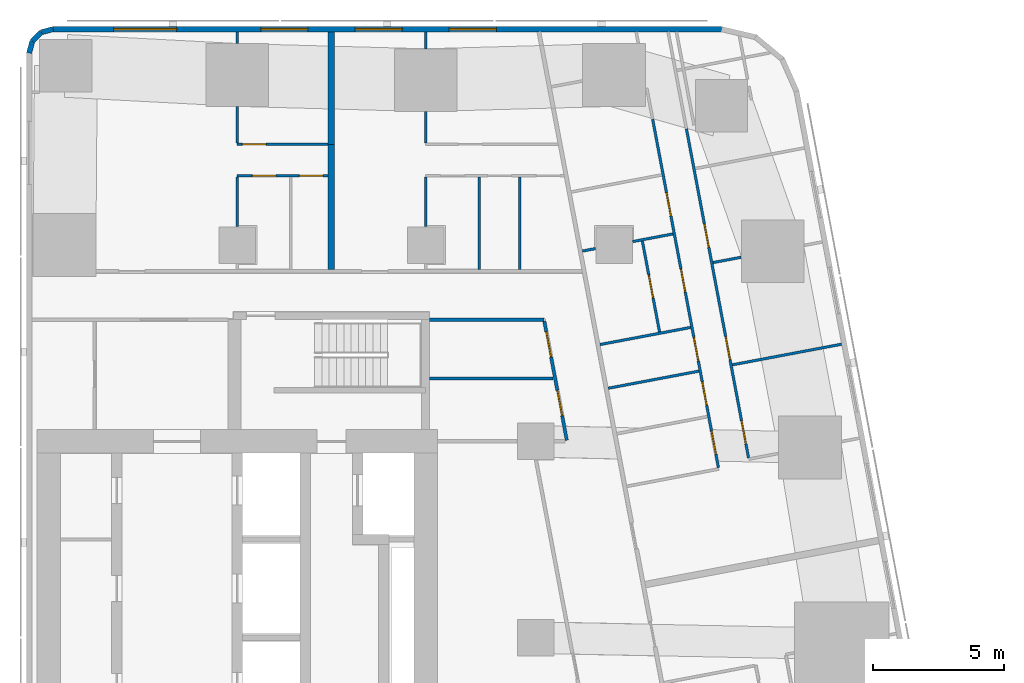
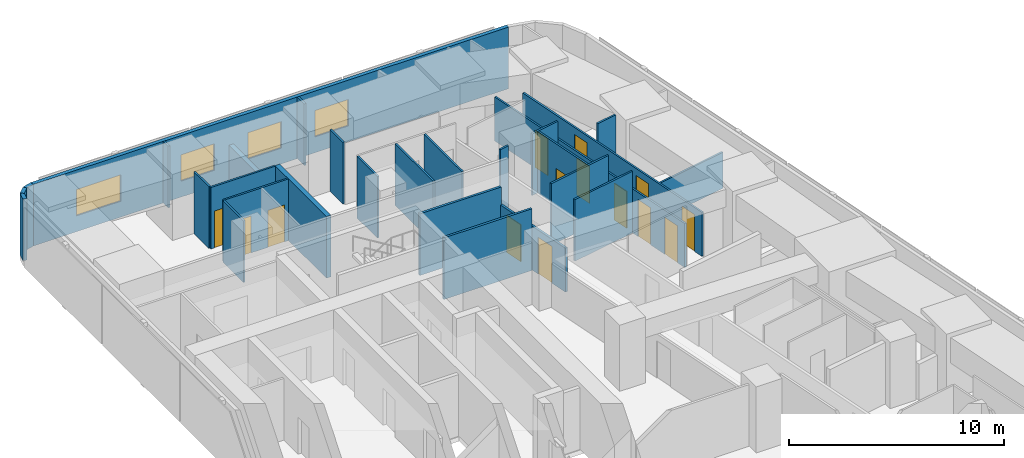
# One storey, part 7 of 10: 28 walls, 14 doors, 4 windows, 18 openings.
"""IFC4 building model written with IfcOpenShell, lengths in metres."""

from ifc_helpers import new_model, si_unit, direction, frame, frame_2d, origin, place, context, subcontext, project, spatial, rectangle, extrude, material, layer, layer_set, type_object, element, fill, save


model = new_model("IFC4")

# Units and contexts
model_context = context("Model", 3, precision=1e-05, world=origin(), true_north=direction((0.0, 1.0)))
body_context = subcontext(model_context, "Body", "Model", "MODEL_VIEW")
ifc_project = project(units=[si_unit("LENGTHUNIT", "METRE"), si_unit("AREAUNIT", "SQUARE_METRE"), si_unit("VOLUMEUNIT", "CUBIC_METRE"), si_unit("PLANEANGLEUNIT", "RADIAN"), si_unit("MASSUNIT", "GRAM", prefix="KILO")], contexts=[model_context])

# Site, building, storey
site_placement = place(None, origin())
site = spatial("IfcSite", under=ifc_project, at=site_placement, CompositionType="ELEMENT")
building_placement = place(site_placement, origin())
building = spatial("IfcBuilding", under=site, at=building_placement, Name="Sheger Commons Tower", CompositionType="ELEMENT")
storey_placement = place(building_placement, frame((0.0, 0.0, 231.199951171875)))
storey = spatial("IfcBuildingStorey", under=building, at=storey_placement, Name="L59", CompositionType="ELEMENT", Elevation=231.199951171875)

# Walls
ifc_material_1 = material(Name="Dense concrete block masonry, plastered both sides (separating wall between flats)", Category="masonry")
ifc_layer_1 = layer(ifc_material_1, 0.25)
ifc_layer_set_1 = layer_set([ifc_layer_1], Name="DEMISING WALL 250")
wall_type_1 = type_object("IfcWallType", Name="DEMISING WALL 250", PredefinedType="SOLIDWALL", material=ifc_layer_set_1)
wall_1_placement = place(storey_placement, frame((25.199951171875, 41.35009765625, 0.0), z_axis=(0.0, 0.0, 1.0), x_axis=(0.0, 1.0, 0.0)))
element("IfcWall", 1, at=wall_1_placement, inside=storey, type_object=wall_type_1, Name="Demising wall L59", PredefinedType="SOLIDWALL", context=body_context, shape_type="SweptSolid", body=[
    extrude(rectangle(XDim=4.2998046875, YDim=0.25, at=frame_2d((2.14990234375, 0.0))), origin(), (0.0, 0.0, 1.0), 2.050048828125),
])
wall_2_placement = place(storey_placement, frame((25.199951171875, 36.574951171875, 0.0), z_axis=(0.0, 0.0, 1.0), x_axis=(0.0, 1.0, 0.0)))
element("IfcWall", 2, at=wall_2_placement, inside=storey, type_object=wall_type_1, Name="Demising wall L59", PredefinedType="SOLIDWALL", context=body_context, shape_type="SweptSolid", body=[
    extrude(rectangle(XDim=4.775146484375, YDim=0.25, at=frame_2d((2.3876953125, 0.0))), origin(), (0.0, 0.0, 1.0), 3.5),
])

# Wall, openings, windows
ifc_material_2 = material(Name="Rendered concrete block masonry, dark grey", Category="masonry")
ifc_layer_2 = layer(ifc_material_2, 0.199951171875)
ifc_layer_set_2 = layer_set([ifc_layer_2], Name="FACADE WALL 200")
wall_type_2 = type_object("IfcWallType", Name="FACADE WALL 200", PredefinedType="SOLIDWALL", material=ifc_layer_set_2)
wall_3_placement = place(storey_placement, frame((40.10595703125, 45.75, 0.0), z_axis=(0.0, 0.0, 1.0), x_axis=(-1.0, 0.0, 0.0)))
wall_3 = element("IfcWall", 3, at=wall_3_placement, inside=storey, type_object=wall_type_2, Name="Facade wall L59", PredefinedType="SOLIDWALL", context=body_context, shape_type="SweptSolid", body=[
    extrude(rectangle(XDim=25.54296875, YDim=0.199951171875, at=frame_2d((12.771484375, 0.0))), origin(), (0.0, 0.0, 1.0), 3.5),
])
opening_1_placement = place(wall_3_placement, frame((8.60595703125, 0.0, 0.89990234375)))
opening_1 = element("IfcOpeningElement", 4, at=opening_1_placement, cuts=wall_3, Name="Opening W2", PredefinedType="OPENING", context=body_context, shape_type="SweptSolid", body=[
    extrude(rectangle(XDim=1.800048828125, YDim=1.5, at=frame_2d((0.89990234375, 0.75))), frame((0.0, 0.10986328125, 0.0), z_axis=(0.0, -1.0, 0.0), x_axis=(1.0, 0.0, 0.0)), (0.0, 0.0, 1.0), 0.219970703125),
])
opening_2_placement = place(wall_3_placement, frame((12.2060546875, 0.0, 0.89990234375)))
opening_2 = element("IfcOpeningElement", 5, at=opening_2_placement, cuts=wall_3, Name="Opening W2", PredefinedType="OPENING", context=body_context, shape_type="SweptSolid", body=[
    extrude(rectangle(XDim=1.800048828125, YDim=1.5, at=frame_2d((0.89990234375, 0.75))), frame((0.0, 0.10986328125, 0.0), z_axis=(0.0, -1.0, 0.0), x_axis=(1.0, 0.0, 0.0)), (0.0, 0.0, 1.0), 0.219970703125),
])
opening_3_placement = place(wall_3_placement, frame((15.805908203125, 0.0, 0.89990234375)))
opening_3 = element("IfcOpeningElement", 6, at=opening_3_placement, cuts=wall_3, Name="Opening W2", PredefinedType="OPENING", context=body_context, shape_type="SweptSolid", body=[
    extrude(rectangle(XDim=1.800048828125, YDim=1.5, at=frame_2d((0.89990234375, 0.75))), frame((0.0, 0.10986328125, 0.0), z_axis=(0.0, -1.0, 0.0), x_axis=(1.0, 0.0, 0.0)), (0.0, 0.0, 1.0), 0.219970703125),
])
opening_4_placement = place(wall_3_placement, frame((20.824951171875, 0.0, 0.89990234375)))
opening_4 = element("IfcOpeningElement", 7, at=opening_4_placement, cuts=wall_3, Name="Opening W1", PredefinedType="OPENING", context=body_context, shape_type="SweptSolid", body=[
    extrude(rectangle(XDim=2.39990234375, YDim=1.5, at=frame_2d((1.199951171875, 0.75))), frame((0.0, 0.10986328125, 0.0), z_axis=(0.0, -1.0, 0.0), x_axis=(1.0, 0.0, 0.0)), (0.0, 0.0, 1.0), 0.219970703125),
])
ifc_material_3 = material(Name="Black aluminium frame, dark tinted double glazing", Category="aluminium")
window_type_1 = type_object("IfcWindowType", Name="WINDOW W1 2400x1500", PartitioningType="SINGLE_PANEL", PredefinedType="WINDOW", material=ifc_material_3)
window_1_placement = place(opening_4_placement, origin())
window_1 = element("IfcWindow", 8, at=window_1_placement, inside=storey, type_object=window_type_1, Name="Window W1 2400X1500", OverallHeight=1.5, OverallWidth=2.39990234375, PartitioningType="SINGLE_PANEL", PredefinedType="WINDOW", context=body_context, shape_type="SweptSolid", body=[
    extrude(rectangle(XDim=2.39990234375, YDim=1.5, at=frame_2d((1.199951171875, 0.75))), frame((0.0, 0.030029296875, 0.0), z_axis=(0.0, -1.0, 0.0), x_axis=(1.0, 0.0, 0.0)), (0.0, 0.0, 1.0), 0.06005859375),
])
fill(opening_4, window_1)
ifc_material_4 = material(Name="Black aluminium frame, dark tinted double glazing", Category="aluminium")
window_type_2 = type_object("IfcWindowType", Name="WINDOW W2 1800x1500", PartitioningType="SINGLE_PANEL", PredefinedType="WINDOW", material=ifc_material_4)
window_2_placement = place(opening_1_placement, origin())
window_2 = element("IfcWindow", 9, at=window_2_placement, inside=storey, type_object=window_type_2, Name="Window W2 1800X1500", OverallHeight=1.5, OverallWidth=1.800048828125, PartitioningType="SINGLE_PANEL", PredefinedType="WINDOW", context=body_context, shape_type="SweptSolid", body=[
    extrude(rectangle(XDim=1.800048828125, YDim=1.5, at=frame_2d((0.89990234375, 0.75))), frame((0.0, 0.030029296875, 0.0), z_axis=(0.0, -1.0, 0.0), x_axis=(1.0, 0.0, 0.0)), (0.0, 0.0, 1.0), 0.06005859375),
])
fill(opening_1, window_2)
window_3_placement = place(opening_2_placement, origin())
window_3 = element("IfcWindow", 10, at=window_3_placement, inside=storey, type_object=window_type_2, Name="Window W2 1800X1500", OverallHeight=1.5, OverallWidth=1.800048828125, PartitioningType="SINGLE_PANEL", PredefinedType="WINDOW", context=body_context, shape_type="SweptSolid", body=[
    extrude(rectangle(XDim=1.800048828125, YDim=1.5, at=frame_2d((0.89990234375, 0.75))), frame((0.0, 0.030029296875, 0.0), z_axis=(0.0, -1.0, 0.0), x_axis=(1.0, 0.0, 0.0)), (0.0, 0.0, 1.0), 0.06005859375),
])
fill(opening_2, window_3)
window_4_placement = place(opening_3_placement, origin())
window_4 = element("IfcWindow", 11, at=window_4_placement, inside=storey, type_object=window_type_2, Name="Window W2 1800X1500", OverallHeight=1.5, OverallWidth=1.800048828125, PartitioningType="SINGLE_PANEL", PredefinedType="WINDOW", context=body_context, shape_type="SweptSolid", body=[
    extrude(rectangle(XDim=1.800048828125, YDim=1.5, at=frame_2d((0.89990234375, 0.75))), frame((0.0, 0.030029296875, 0.0), z_axis=(0.0, -1.0, 0.0), x_axis=(1.0, 0.0, 0.0)), (0.0, 0.0, 1.0), 0.06005859375),
])
fill(opening_3, window_4)

# Walls
wall_4_placement = place(storey_placement, frame((14.56298828125, 45.75, 0.0), z_axis=(0.0, 0.0, 1.0), x_axis=(-0.965655254015, -0.259826731483, 0.0)))
element("IfcWall", 12, at=wall_4_placement, inside=storey, type_object=wall_type_2, Name="Facade wall L59", PredefinedType="SOLIDWALL", context=body_context, shape_type="SweptSolid", body=[
    extrude(rectangle(XDim=0.477294921875, YDim=0.199951171875, at=frame_2d((0.23876953125, 0.0))), origin(), (0.0, 0.0, 1.0), 3.5),
])
wall_5_placement = place(storey_placement, frame((14.10205078125, 45.6259765625, 0.0), z_axis=(0.0, 0.0, 1.0), x_axis=(-0.707369890659, -0.706843573776, 0.0)))
element("IfcWall", 13, at=wall_5_placement, inside=storey, type_object=wall_type_2, Name="Facade wall L59", PredefinedType="SOLIDWALL", context=body_context, shape_type="SweptSolid", body=[
    extrude(rectangle(XDim=0.4638671875, YDim=0.199951171875, at=frame_2d((0.23193359375, 0.0))), origin(), (0.0, 0.0, 1.0), 3.5),
])
wall_6_placement = place(storey_placement, frame((13.77392578125, 45.298095703125, 0.0), z_axis=(0.0, 0.0, 1.0), x_axis=(-0.259698463175, -0.965689757751, 0.0)))
element("IfcWall", 14, at=wall_6_placement, inside=storey, type_object=wall_type_2, Name="Facade wall L59", PredefinedType="SOLIDWALL", context=body_context, shape_type="SweptSolid", body=[
    extrude(rectangle(XDim=0.4775390625, YDim=0.199951171875, at=frame_2d((0.23876953125, 0.0))), origin(), (0.0, 0.0, 1.0), 3.5),
])

# Wall, openings, doors
ifc_material_5 = material(Name="Gypsum board on steel studs", Category="steel")
ifc_layer_3 = layer(ifc_material_5, 0.10009765625)
ifc_layer_set_3 = layer_set([ifc_layer_3], Name="PARTITION 100")
wall_type_3 = type_object("IfcWallType", Name="PARTITION 100", PredefinedType="PARTITIONING", material=ifc_layer_set_3)
wall_7_placement = place(storey_placement, frame((38.763916015625, 41.94091796875, 0.0), z_axis=(0.0, 0.0, 1.0), x_axis=(0.185512176227, -0.982641965556, 0.0)))
wall_7 = element("IfcWall", 15, at=wall_7_placement, inside=storey, type_object=wall_type_3, Name="Partition L59", PredefinedType="PARTITIONING", context=body_context, shape_type="SweptSolid", body=[
    extrude(rectangle(XDim=12.791748046875, YDim=0.10009765625, at=frame_2d((6.39599609375, 0.0))), origin(), (0.0, 0.0, 1.0), 2.5),
])
opening_5_placement = place(wall_7_placement, frame((11.35009765625, 0.0, 0.0)))
opening_5 = element("IfcOpeningElement", 16, at=opening_5_placement, cuts=wall_7, Name="Opening D2", PredefinedType="OPENING", context=body_context, shape_type="SweptSolid", body=[
    extrude(rectangle(XDim=0.89990234375, YDim=2.10009765625, at=frame_2d((0.449951171875, 1.050048828125))), frame((0.0, 0.06005859375, 0.0), z_axis=(0.0, -1.0, 0.0), x_axis=(1.0, 0.0, 0.0)), (0.0, 0.0, 1.0), 0.1201171875),
])
opening_6_placement = place(wall_7_placement, frame((8.0849609375, 0.0, 0.0)))
opening_6 = element("IfcOpeningElement", 17, at=opening_6_placement, cuts=wall_7, Name="Opening D2", PredefinedType="OPENING", context=body_context, shape_type="SweptSolid", body=[
    extrude(rectangle(XDim=0.89990234375, YDim=2.10009765625, at=frame_2d((0.449951171875, 1.050048828125))), frame((0.0, 0.06005859375, 0.0), z_axis=(0.0, -1.0, 0.0), x_axis=(1.0, 0.0, 0.0)), (0.0, 0.0, 1.0), 0.1201171875),
])
opening_7_placement = place(wall_7_placement, frame((3.699951171875, 0.0, 0.0)))
opening_7 = element("IfcOpeningElement", 18, at=opening_7_placement, cuts=wall_7, Name="Opening D2", PredefinedType="OPENING", context=body_context, shape_type="SweptSolid", body=[
    extrude(rectangle(XDim=0.89990234375, YDim=2.10009765625, at=frame_2d((0.449951171875, 1.050048828125))), frame((0.0, 0.06005859375, 0.0), z_axis=(0.0, -1.0, 0.0), x_axis=(1.0, 0.0, 0.0)), (0.0, 0.0, 1.0), 0.1201171875),
])
ifc_material_6 = material(Name="Timber door set", Category="wood")
door_type_1 = type_object("IfcDoorType", Name="INTERNAL DOOR 900x2100", OperationType="NOTDEFINED", PredefinedType="DOOR", material=ifc_material_6)
door_1_placement = place(opening_5_placement, origin())
door_1 = element("IfcDoor", 19, at=door_1_placement, inside=storey, type_object=door_type_1, Name="Main bedroom door", OperationType="SINGLE_SWING_RIGHT", OverallHeight=2.10009765625, OverallWidth=0.89990234375, PredefinedType="DOOR", context=body_context, shape_type="SweptSolid", body=[
    extrude(rectangle(XDim=0.89990234375, YDim=2.10009765625, at=frame_2d((0.449951171875, 1.050048828125))), frame((0.0, 0.02490234375, 0.0), z_axis=(0.0, -1.0, 0.0), x_axis=(1.0, 0.0, 0.0)), (0.0, 0.0, 1.0), 0.050048828125),
])
fill(opening_5, door_1)
door_2_placement = place(opening_6_placement, origin())
door_2 = element("IfcDoor", 20, at=door_2_placement, inside=storey, type_object=door_type_1, Name="Bedroom 2 door", OperationType="SINGLE_SWING_RIGHT", OverallHeight=2.10009765625, OverallWidth=0.89990234375, PredefinedType="DOOR", context=body_context, shape_type="SweptSolid", body=[
    extrude(rectangle(XDim=0.89990234375, YDim=2.10009765625, at=frame_2d((0.449951171875, 1.050048828125))), frame((0.0, 0.02490234375, 0.0), z_axis=(0.0, -1.0, 0.0), x_axis=(1.0, 0.0, 0.0)), (0.0, 0.0, 1.0), 0.050048828125),
])
fill(opening_6, door_2)
door_3_placement = place(opening_7_placement, origin())
door_3 = element("IfcDoor", 21, at=door_3_placement, inside=storey, type_object=door_type_1, Name="Bedroom 3 door", OperationType="SINGLE_SWING_RIGHT", OverallHeight=2.10009765625, OverallWidth=0.89990234375, PredefinedType="DOOR", context=body_context, shape_type="SweptSolid", body=[
    extrude(rectangle(XDim=0.89990234375, YDim=2.10009765625, at=frame_2d((0.449951171875, 1.050048828125))), frame((0.0, 0.02490234375, 0.0), z_axis=(0.0, -1.0, 0.0), x_axis=(1.0, 0.0, 0.0)), (0.0, 0.0, 1.0), 0.050048828125),
])
fill(opening_7, door_3)

wall_8_placement = place(storey_placement, frame((37.472900390625, 42.30908203125, 0.0), z_axis=(0.0, 0.0, 1.0), x_axis=(0.185570636839, -0.982630927024, 0.0)))
wall_8 = element("IfcWall", 22, at=wall_8_placement, inside=storey, type_object=wall_type_3, Name="Partition L59", PredefinedType="PARTITIONING", context=body_context, shape_type="SweptSolid", body=[
    extrude(rectangle(XDim=13.553466796875, YDim=0.10009765625, at=frame_2d((6.77685546875, 0.0))), origin(), (0.0, 0.0, 1.0), 2.5),
])
opening_8_placement = place(wall_8_placement, frame((12.1279296875, 0.0, 0.0)))
opening_8 = element("IfcOpeningElement", 23, at=opening_8_placement, cuts=wall_8, Name="Opening D2", PredefinedType="OPENING", context=body_context, shape_type="SweptSolid", body=[
    extrude(rectangle(XDim=0.89990234375, YDim=2.10009765625, at=frame_2d((0.449951171875, 1.050048828125))), frame((0.0, 0.06005859375, 0.0), z_axis=(0.0, -1.0, 0.0), x_axis=(1.0, 0.0, 0.0)), (0.0, 0.0, 1.0), 0.1201171875),
])
opening_9_placement = place(wall_8_placement, frame((8.487060546875, 0.0, 0.0)))
opening_9 = element("IfcOpeningElement", 24, at=opening_9_placement, cuts=wall_8, Name="Opening D2", PredefinedType="OPENING", context=body_context, shape_type="SweptSolid", body=[
    extrude(rectangle(XDim=0.89990234375, YDim=2.10009765625, at=frame_2d((0.449951171875, 1.050048828125))), frame((0.0, 0.06005859375, 0.0), z_axis=(0.0, -1.0, 0.0), x_axis=(1.0, 0.0, 0.0)), (0.0, 0.0, 1.0), 0.1201171875),
])
opening_10_placement = place(wall_8_placement, frame((2.85302734375, 0.0, 0.0)))
opening_10 = element("IfcOpeningElement", 25, at=opening_10_placement, cuts=wall_8, Name="Opening D2", PredefinedType="OPENING", context=body_context, shape_type="SweptSolid", body=[
    extrude(rectangle(XDim=0.89990234375, YDim=2.10009765625, at=frame_2d((0.449951171875, 1.050048828125))), frame((0.0, 0.06005859375, 0.0), z_axis=(0.0, -1.0, 0.0), x_axis=(1.0, 0.0, 0.0)), (0.0, 0.0, 1.0), 0.1201171875),
])
opening_11_placement = place(wall_8_placement, frame((10.219970703125, 0.0, 0.0)))
opening_11 = element("IfcOpeningElement", 26, at=opening_11_placement, cuts=wall_8, Name="Opening D2", PredefinedType="OPENING", context=body_context, shape_type="SweptSolid", body=[
    extrude(rectangle(XDim=0.89990234375, YDim=2.10009765625, at=frame_2d((0.449951171875, 1.050048828125))), frame((0.0, 0.06005859375, 0.0), z_axis=(0.0, -1.0, 0.0), x_axis=(1.0, 0.0, 0.0)), (0.0, 0.0, 1.0), 0.1201171875),
])
opening_12_placement = place(wall_8_placement, frame((5.819091796875, 0.0, 0.0)))
opening_12 = element("IfcOpeningElement", 27, at=opening_12_placement, cuts=wall_8, Name="Opening D2", PredefinedType="OPENING", context=body_context, shape_type="SweptSolid", body=[
    extrude(rectangle(XDim=0.89990234375, YDim=2.10009765625, at=frame_2d((0.449951171875, 1.050048828125))), frame((0.0, 0.06005859375, 0.0), z_axis=(0.0, -1.0, 0.0), x_axis=(1.0, 0.0, 0.0)), (0.0, 0.0, 1.0), 0.1201171875),
])
door_4_placement = place(opening_8_placement, origin())
door_4 = element("IfcDoor", 28, at=door_4_placement, inside=storey, type_object=door_type_1, Name="Bathroom door", OperationType="SINGLE_SWING_LEFT", OverallHeight=2.10009765625, OverallWidth=0.89990234375, PredefinedType="DOOR", context=body_context, shape_type="SweptSolid", body=[
    extrude(rectangle(XDim=0.89990234375, YDim=2.10009765625, at=frame_2d((0.449951171875, 1.050048828125))), frame((0.0, 0.02490234375, 0.0), z_axis=(0.0, -1.0, 0.0), x_axis=(1.0, 0.0, 0.0)), (0.0, 0.0, 1.0), 0.050048828125),
])
fill(opening_8, door_4)
door_5_placement = place(opening_9_placement, origin())
door_5 = element("IfcDoor", 29, at=door_5_placement, inside=storey, type_object=door_type_1, Name="Laundry room door", OperationType="SINGLE_SWING_RIGHT", OverallHeight=2.10009765625, OverallWidth=0.89990234375, PredefinedType="DOOR", context=body_context, shape_type="SweptSolid", body=[
    extrude(rectangle(XDim=0.89990234375, YDim=2.10009765625, at=frame_2d((0.449951171875, 1.050048828125))), frame((0.0, 0.02490234375, 0.0), z_axis=(0.0, -1.0, 0.0), x_axis=(1.0, 0.0, 0.0)), (0.0, 0.0, 1.0), 0.050048828125),
])
fill(opening_9, door_5)
door_6_placement = place(opening_10_placement, origin())
door_6 = element("IfcDoor", 30, at=door_6_placement, inside=storey, type_object=door_type_1, Name="Laundry room door", OperationType="SINGLE_SWING_RIGHT", OverallHeight=2.10009765625, OverallWidth=0.89990234375, PredefinedType="DOOR", context=body_context, shape_type="SweptSolid", body=[
    extrude(rectangle(XDim=0.89990234375, YDim=2.10009765625, at=frame_2d((0.449951171875, 1.050048828125))), frame((0.0, 0.02490234375, 0.0), z_axis=(0.0, -1.0, 0.0), x_axis=(1.0, 0.0, 0.0)), (0.0, 0.0, 1.0), 0.050048828125),
])
fill(opening_10, door_6)
door_7_placement = place(opening_11_placement, origin())
door_7 = element("IfcDoor", 31, at=door_7_placement, inside=storey, type_object=door_type_1, Name="Store door", OperationType="SINGLE_SWING_LEFT", OverallHeight=2.10009765625, OverallWidth=0.89990234375, PredefinedType="DOOR", context=body_context, shape_type="SweptSolid", body=[
    extrude(rectangle(XDim=0.89990234375, YDim=2.10009765625, at=frame_2d((0.449951171875, 1.050048828125))), frame((0.0, 0.02490234375, 0.0), z_axis=(0.0, -1.0, 0.0), x_axis=(1.0, 0.0, 0.0)), (0.0, 0.0, 1.0), 0.050048828125),
])
fill(opening_11, door_7)
door_8_placement = place(opening_12_placement, origin())
door_8 = element("IfcDoor", 32, at=door_8_placement, inside=storey, type_object=door_type_1, Name="Store door", OperationType="SINGLE_SWING_LEFT", OverallHeight=2.10009765625, OverallWidth=0.89990234375, PredefinedType="DOOR", context=body_context, shape_type="SweptSolid", body=[
    extrude(rectangle(XDim=0.89990234375, YDim=2.10009765625, at=frame_2d((0.449951171875, 1.050048828125))), frame((0.0, 0.02490234375, 0.0), z_axis=(0.0, -1.0, 0.0), x_axis=(1.0, 0.0, 0.0)), (0.0, 0.0, 1.0), 0.050048828125),
])
fill(opening_12, door_8)

# Walls
wall_9_placement = place(storey_placement, frame((40.85400390625, 37.033935546875, 0.0), z_axis=(0.0, 0.0, 1.0), x_axis=(-0.982651678759, -0.185460718839, 0.0)))
element("IfcWall", 33, at=wall_9_placement, inside=storey, type_object=wall_type_3, Name="Partition L59", PredefinedType="PARTITIONING", context=body_context, shape_type="SweptSolid", body=[
    extrude(rectangle(XDim=1.093994140625, YDim=0.10009765625, at=frame_2d((0.546875, 0.0))), origin(), (0.0, 0.0, 1.0), 3.5),
])
wall_10_placement = place(storey_placement, frame((44.693115234375, 33.712890625, 0.0), z_axis=(0.0, 0.0, 1.0), x_axis=(-0.982623519589, -0.185609856287, 0.0)))
element("IfcWall", 34, at=wall_10_placement, inside=storey, type_object=wall_type_3, Name="Partition L59", PredefinedType="PARTITIONING", context=body_context, shape_type="SweptSolid", body=[
    extrude(rectangle(XDim=4.249755859375, YDim=0.10009765625, at=frame_2d((2.125, 0.0))), origin(), (0.0, 0.0, 1.0), 2.050048828125),
])
wall_11_placement = place(storey_placement, frame((38.25, 37.925048828125, 0.0), z_axis=(0.0, 0.0, 1.0), x_axis=(-0.982610209589, -0.185680305934, 0.0)))
element("IfcWall", 35, at=wall_11_placement, inside=storey, type_object=wall_type_3, Name="Partition L59", PredefinedType="PARTITIONING", context=body_context, shape_type="SweptSolid", body=[
    extrude(rectangle(XDim=1.5673828125, YDim=0.10009765625, at=frame_2d((0.78369140625, 0.0))), origin(), (0.0, 0.0, 1.0), 3.5),
])
wall_12_placement = place(storey_placement, frame((35.2900390625, 37.365966796875, 0.0), z_axis=(0.0, 0.0, 1.0), x_axis=(-0.982715597703, -0.185121727606, 0.0)))
element("IfcWall", 36, at=wall_12_placement, inside=storey, type_object=wall_type_3, Name="Partition L59", PredefinedType="PARTITIONING", context=body_context, shape_type="SweptSolid", body=[
    extrude(rectangle(XDim=0.512939453125, YDim=0.10009765625, at=frame_2d((0.25634765625, 0.0))), origin(), (0.0, 0.0, 1.0), 3.5),
])
wall_13_placement = place(storey_placement, frame((39.239990234375, 32.68310546875, 0.0), z_axis=(0.0, 0.0, 1.0), x_axis=(-0.982638553676, -0.185530247748, 0.0)))
element("IfcWall", 37, at=wall_13_placement, inside=storey, type_object=wall_type_3, Name="Partition L59", PredefinedType="PARTITIONING", context=body_context, shape_type="SweptSolid", body=[
    extrude(rectangle(XDim=3.525390625, YDim=0.10009765625, at=frame_2d((1.7626953125, 0.0))), origin(), (0.0, 0.0, 1.0), 3.5),
])
wall_14_placement = place(storey_placement, frame((38.924072265625, 34.35302734375, 0.0), z_axis=(0.0, 0.0, 1.0), x_axis=(-0.982629014545, -0.18558076348, 0.0)))
element("IfcWall", 38, at=wall_14_placement, inside=storey, type_object=wall_type_3, Name="Partition L59", PredefinedType="PARTITIONING", context=body_context, shape_type="SweptSolid", body=[
    extrude(rectangle(XDim=3.5244140625, YDim=0.10009765625, at=frame_2d((1.76220703125, 0.0))), origin(), (0.0, 0.0, 1.0), 3.5),
])

# Wall, opening, door
wall_15_placement = place(storey_placement, frame((21.60009765625, 41.35009765625, 0.0), z_axis=(0.0, 0.0, 1.0), x_axis=(1.0, 0.0, 0.0)))
wall_15 = element("IfcWall", 39, at=wall_15_placement, inside=storey, type_object=wall_type_3, Name="Partition L59", PredefinedType="PARTITIONING", context=body_context, shape_type="SweptSolid", body=[
    extrude(rectangle(XDim=3.474853515625, YDim=0.10009765625, at=frame_2d((1.7373046875, 0.0))), origin(), (0.0, 0.0, 1.0), 3.5),
])
opening_13_placement = place(wall_15_placement, frame((0.199951171875, 0.0, 0.0)))
opening_13 = element("IfcOpeningElement", 40, at=opening_13_placement, cuts=wall_15, Name="Opening D2", PredefinedType="OPENING", context=body_context, shape_type="SweptSolid", body=[
    extrude(rectangle(XDim=0.89990234375, YDim=2.10009765625, at=frame_2d((0.449951171875, 1.050048828125))), frame((0.0, 0.06005859375, 0.0), z_axis=(0.0, -1.0, 0.0), x_axis=(1.0, 0.0, 0.0)), (0.0, 0.0, 1.0), 0.1201171875),
])
door_9_placement = place(opening_13_placement, origin())
door_9 = element("IfcDoor", 41, at=door_9_placement, inside=storey, type_object=door_type_1, Name="Main bedroom door", OperationType="SINGLE_SWING_LEFT", OverallHeight=2.10009765625, OverallWidth=0.89990234375, PredefinedType="DOOR", context=body_context, shape_type="SweptSolid", body=[
    extrude(rectangle(XDim=0.89990234375, YDim=2.10009765625, at=frame_2d((0.449951171875, 1.050048828125))), frame((0.0, 0.02490234375, 0.0), z_axis=(0.0, -1.0, 0.0), x_axis=(1.0, 0.0, 0.0)), (0.0, 0.0, 1.0), 0.050048828125),
])
fill(opening_13, door_9)

# Wall, openings, doors
wall_16_placement = place(storey_placement, frame((21.60009765625, 40.14990234375, 0.0), z_axis=(0.0, 0.0, 1.0), x_axis=(1.0, 0.0, 0.0)))
wall_16 = element("IfcWall", 42, at=wall_16_placement, inside=storey, type_object=wall_type_3, Name="Partition L59", PredefinedType="PARTITIONING", context=body_context, shape_type="SweptSolid", body=[
    extrude(rectangle(XDim=3.474853515625, YDim=0.10009765625, at=frame_2d((1.7373046875, 0.0))), origin(), (0.0, 0.0, 1.0), 3.5),
])
opening_14_placement = place(wall_16_placement, frame((0.574951171875, 0.0, 0.0)))
opening_14 = element("IfcOpeningElement", 43, at=opening_14_placement, cuts=wall_16, Name="Opening D2", PredefinedType="OPENING", context=body_context, shape_type="SweptSolid", body=[
    extrude(rectangle(XDim=0.89990234375, YDim=2.10009765625, at=frame_2d((0.449951171875, 1.050048828125))), frame((0.0, 0.06005859375, 0.0), z_axis=(0.0, -1.0, 0.0), x_axis=(1.0, 0.0, 0.0)), (0.0, 0.0, 1.0), 0.1201171875),
])
opening_15_placement = place(wall_16_placement, frame((2.375, 0.0, 0.0)))
opening_15 = element("IfcOpeningElement", 44, at=opening_15_placement, cuts=wall_16, Name="Opening D2", PredefinedType="OPENING", context=body_context, shape_type="SweptSolid", body=[
    extrude(rectangle(XDim=0.89990234375, YDim=2.10009765625, at=frame_2d((0.449951171875, 1.050048828125))), frame((0.0, 0.06005859375, 0.0), z_axis=(0.0, -1.0, 0.0), x_axis=(1.0, 0.0, 0.0)), (0.0, 0.0, 1.0), 0.1201171875),
])
door_10_placement = place(opening_14_placement, origin())
door_10 = element("IfcDoor", 45, at=door_10_placement, inside=storey, type_object=door_type_1, Name="Bathroom door", OperationType="SINGLE_SWING_RIGHT", OverallHeight=2.10009765625, OverallWidth=0.89990234375, PredefinedType="DOOR", context=body_context, shape_type="SweptSolid", body=[
    extrude(rectangle(XDim=0.89990234375, YDim=2.10009765625, at=frame_2d((0.449951171875, 1.050048828125))), frame((0.0, 0.02490234375, 0.0), z_axis=(0.0, -1.0, 0.0), x_axis=(1.0, 0.0, 0.0)), (0.0, 0.0, 1.0), 0.050048828125),
])
fill(opening_14, door_10)
door_11_placement = place(opening_15_placement, origin())
door_11 = element("IfcDoor", 46, at=door_11_placement, inside=storey, type_object=door_type_1, Name="Store door", OperationType="SINGLE_SWING_LEFT", OverallHeight=2.10009765625, OverallWidth=0.89990234375, PredefinedType="DOOR", context=body_context, shape_type="SweptSolid", body=[
    extrude(rectangle(XDim=0.89990234375, YDim=2.10009765625, at=frame_2d((0.449951171875, 1.050048828125))), frame((0.0, 0.02490234375, 0.0), z_axis=(0.0, -1.0, 0.0), x_axis=(1.0, 0.0, 0.0)), (0.0, 0.0, 1.0), 0.050048828125),
])
fill(opening_15, door_11)

# Walls
wall_17_placement = place(storey_placement, frame((21.60009765625, 41.39990234375, 0.0), z_axis=(0.0, 0.0, 1.0), x_axis=(0.0, 1.0, 0.0)))
element("IfcWall", 47, at=wall_17_placement, inside=storey, type_object=wall_type_3, Name="Partition L59", PredefinedType="PARTITIONING", context=body_context, shape_type="SweptSolid", body=[
    extrude(rectangle(XDim=1.399169921875, YDim=0.10009765625, at=frame_2d((0.69970703125, 0.0))), origin(), (0.0, 0.0, 1.0), 3.5),
])
wall_18_placement = place(storey_placement, frame((21.60009765625, 45.200927734375, 0.0), z_axis=(0.0, 0.0, 1.0), x_axis=(0.0, 1.0, 0.0)))
element("IfcWall", 48, at=wall_18_placement, inside=storey, type_object=wall_type_3, Name="Partition L59", PredefinedType="PARTITIONING", context=body_context, shape_type="SweptSolid", body=[
    extrude(rectangle(XDim=0.448974609375, YDim=0.10009765625, at=frame_2d((0.224609375, 0.0))), origin(), (0.0, 0.0, 1.0), 3.5),
])
wall_19_placement = place(storey_placement, frame((21.60009765625, 38.200927734375, 0.0), z_axis=(0.0, 0.0, 1.0), x_axis=(0.0, 1.0, 0.0)))
element("IfcWall", 49, at=wall_19_placement, inside=storey, type_object=wall_type_3, Name="Partition L59", PredefinedType="PARTITIONING", context=body_context, shape_type="SweptSolid", body=[
    extrude(rectangle(XDim=1.899169921875, YDim=0.10009765625, at=frame_2d((0.94970703125, 0.0))), origin(), (0.0, 0.0, 1.0), 3.5),
])
wall_20_placement = place(storey_placement, frame((28.800048828125, 41.39990234375, 0.0), z_axis=(0.0, 0.0, 1.0), x_axis=(0.0, 1.0, 0.0)))
element("IfcWall", 50, at=wall_20_placement, inside=storey, type_object=wall_type_3, Name="Partition L59", PredefinedType="PARTITIONING", context=body_context, shape_type="SweptSolid", body=[
    extrude(rectangle(XDim=1.19921875, YDim=0.10009765625, at=frame_2d((0.599609375, 0.0))), origin(), (0.0, 0.0, 1.0), 3.5),
])
wall_21_placement = place(storey_placement, frame((28.800048828125, 45.0009765625, 0.0), z_axis=(0.0, 0.0, 1.0), x_axis=(0.0, 1.0, 0.0)))
element("IfcWall", 51, at=wall_21_placement, inside=storey, type_object=wall_type_3, Name="Partition L59", PredefinedType="PARTITIONING", context=body_context, shape_type="SweptSolid", body=[
    extrude(rectangle(XDim=0.64892578125, YDim=0.10009765625, at=frame_2d((0.324462890625, 0.0))), origin(), (0.0, 0.0, 1.0), 3.5),
])
wall_22_placement = place(storey_placement, frame((28.800048828125, 38.200927734375, 0.0), z_axis=(0.0, 0.0, 1.0), x_axis=(0.0, 1.0, 0.0)))
element("IfcWall", 52, at=wall_22_placement, inside=storey, type_object=wall_type_3, Name="Partition L59", PredefinedType="PARTITIONING", context=body_context, shape_type="SweptSolid", body=[
    extrude(rectangle(XDim=1.899169921875, YDim=0.10009765625, at=frame_2d((0.94970703125, 0.0))), origin(), (0.0, 0.0, 1.0), 3.5),
])
for number, where, z_axis, x_axis, name in (
    (53, (32.39990234375, 36.574951171875, 0.0), (0.0, 0.0, 1.0), (0.0, 1.0, 0.0), "Partition L59"),
    (54, (30.85009765625, 36.574951171875, 0.0), (0.0, 0.0, 1.0), (0.0, 1.0, 0.0), "Partition L59"),
):
    element("IfcWall", number, at=place(storey_placement, frame(where, z_axis=z_axis, x_axis=x_axis)), inside=storey, type_object=wall_type_3, Name=name, PredefinedType="PARTITIONING", context=body_context, shape_type="SweptSolid", body=[
        extrude(rectangle(XDim=3.525146484375, YDim=0.10009765625, at=frame_2d((1.7626953125, 0.0))), origin(), (0.0, 0.0, 1.0), 3.5),
    ])

# Wall, opening, door
wall_23_placement = place(storey_placement, frame((37.080078125, 37.653076171875, 0.0), z_axis=(0.0, 0.0, 1.0), x_axis=(0.185864634688, -0.982575359742, 0.0)))
wall_23 = element("IfcWall", 55, at=wall_23_placement, inside=storey, type_object=wall_type_3, Name="Partition L59", PredefinedType="PARTITIONING", context=body_context, shape_type="SweptSolid", body=[
    extrude(rectangle(XDim=3.53466796875, YDim=0.10009765625, at=frame_2d((1.767333984375, 0.0))), origin(), (0.0, 0.0, 1.0), 3.5),
])
opening_16_placement = place(wall_23_placement, frame((1.31689453125, 0.0, 0.0)))
opening_16 = element("IfcOpeningElement", 56, at=opening_16_placement, cuts=wall_23, Name="Opening D2", PredefinedType="OPENING", context=body_context, shape_type="SweptSolid", body=[
    extrude(rectangle(XDim=0.89990234375, YDim=2.10009765625, at=frame_2d((0.449951171875, 1.050048828125))), frame((0.0, 0.06005859375, 0.0), z_axis=(0.0, -1.0, 0.0), x_axis=(1.0, 0.0, 0.0)), (0.0, 0.0, 1.0), 0.1201171875),
])
door_12_placement = place(opening_16_placement, origin())
door_12 = element("IfcDoor", 57, at=door_12_placement, inside=storey, type_object=door_type_1, Name="Store door", OperationType="SINGLE_SWING_RIGHT", OverallHeight=2.10009765625, OverallWidth=0.89990234375, PredefinedType="DOOR", context=body_context, shape_type="SweptSolid", body=[
    extrude(rectangle(XDim=0.89990234375, YDim=2.10009765625, at=frame_2d((0.449951171875, 1.050048828125))), frame((0.0, 0.02490234375, 0.0), z_axis=(0.0, -1.0, 0.0), x_axis=(1.0, 0.0, 0.0)), (0.0, 0.0, 1.0), 0.050048828125),
])
fill(opening_16, door_12)

# Wall
ifc_material_7 = material(Name="Gypsum board on steel studs, two layers each side, fire rated", Category="steel")
ifc_layer_4 = layer(ifc_material_7, 0.125)
ifc_layer_set_4 = layer_set([ifc_layer_4], Name="SERVICE WALL 125")
wall_type_4 = type_object("IfcWallType", Name="SERVICE WALL 125", PredefinedType="PARTITIONING", material=ifc_layer_set_4)
wall_24_placement = place(storey_placement, frame((28.949951171875, 34.64990234375, 0.0), z_axis=(0.0, 0.0, 1.0), x_axis=(1.0, 0.0, 0.0)))
element("IfcWall", 58, at=wall_24_placement, inside=storey, type_object=wall_type_4, Name="Service room wall L59", PredefinedType="PARTITIONING", context=body_context, shape_type="SweptSolid", body=[
    extrude(rectangle(XDim=4.381103515625, YDim=0.125, at=frame_2d((2.1904296875, 0.0))), origin(), (0.0, 0.0, 1.0), 3.5),
])

# Wall, openings, doors
wall_25_placement = place(storey_placement, frame((34.193115234375, 30.0400390625, 0.0), z_axis=(0.0, 0.0, 1.0), x_axis=(-0.185626015863, 0.982620467034, 0.0)))
wall_25 = element("IfcWall", 59, at=wall_25_placement, inside=storey, type_object=wall_type_4, Name="Service room wall L59", PredefinedType="PARTITIONING", context=body_context, shape_type="SweptSolid", body=[
    extrude(rectangle(XDim=4.628173828125, YDim=0.125, at=frame_2d((2.31396484375, 0.0))), origin(), (0.0, 0.0, 1.0), 2.5),
])
opening_17_placement = place(wall_25_placement, frame((0.949951171875, 0.0, 0.0)))
opening_17 = element("IfcOpeningElement", 60, at=opening_17_placement, cuts=wall_25, Name="Opening D4", PredefinedType="OPENING", context=body_context, shape_type="SweptSolid", body=[
    extrude(rectangle(XDim=1.0, YDim=2.10009765625, at=frame_2d((0.5, 1.050048828125))), frame((0.0, 0.072509765625, 0.0), z_axis=(0.0, -1.0, 0.0), x_axis=(1.0, 0.0, 0.0)), (0.0, 0.0, 1.0), 0.14501953125),
])
opening_18_placement = place(wall_25_placement, frame((3.22509765625, 0.0, 0.0)))
opening_18 = element("IfcOpeningElement", 61, at=opening_18_placement, cuts=wall_25, Name="Opening D4", PredefinedType="OPENING", context=body_context, shape_type="SweptSolid", body=[
    extrude(rectangle(XDim=1.0, YDim=2.10009765625, at=frame_2d((0.5, 1.050048828125))), frame((0.0, 0.072509765625, 0.0), z_axis=(0.0, -1.0, 0.0), x_axis=(1.0, 0.0, 0.0)), (0.0, 0.0, 1.0), 0.14501953125),
])
ifc_material_8 = material(Name="Steel door set, fire rated", Category="steel")
door_type_2 = type_object("IfcDoorType", Name="SERVICE DOOR 1000x2100", OperationType="NOTDEFINED", PredefinedType="DOOR", material=ifc_material_8)
door_13_placement = place(opening_17_placement, origin())
door_13 = element("IfcDoor", 62, at=door_13_placement, inside=storey, type_object=door_type_2, Name="Linen store door", OperationType="SINGLE_SWING_RIGHT", OverallHeight=2.10009765625, OverallWidth=1.0, PredefinedType="DOOR", context=body_context, shape_type="SweptSolid", body=[
    extrude(rectangle(XDim=1.0, YDim=2.10009765625, at=frame_2d((0.5, 1.050048828125))), frame((0.0, 0.02490234375, 0.0), z_axis=(0.0, -1.0, 0.0), x_axis=(1.0, 0.0, 0.0)), (0.0, 0.0, 1.0), 0.050048828125),
])
fill(opening_17, door_13)
door_14_placement = place(opening_18_placement, origin())
door_14 = element("IfcDoor", 63, at=door_14_placement, inside=storey, type_object=door_type_2, Name="Cleaner's store door", OperationType="SINGLE_SWING_RIGHT", OverallHeight=2.10009765625, OverallWidth=1.0, PredefinedType="DOOR", context=body_context, shape_type="SweptSolid", body=[
    extrude(rectangle(XDim=1.0, YDim=2.10009765625, at=frame_2d((0.5, 1.050048828125))), frame((0.0, 0.02490234375, 0.0), z_axis=(0.0, -1.0, 0.0), x_axis=(1.0, 0.0, 0.0)), (0.0, 0.0, 1.0), 0.050048828125),
])
fill(opening_18, door_14)

# Wall
wall_26_placement = place(storey_placement, frame((28.949951171875, 32.39990234375, 0.0), z_axis=(0.0, 0.0, 1.0), x_axis=(1.0, 0.0, 0.0)))
element("IfcWall", 64, at=wall_26_placement, inside=storey, type_object=wall_type_4, Name="Service room wall L59", PredefinedType="PARTITIONING", context=body_context, shape_type="SweptSolid", body=[
    extrude(rectangle(XDim=4.72216796875, YDim=0.125, at=frame_2d((2.361083984375, 0.0))), origin(), (0.0, 0.0, 1.0), 3.5),
])

save(model, "model.ifc")
